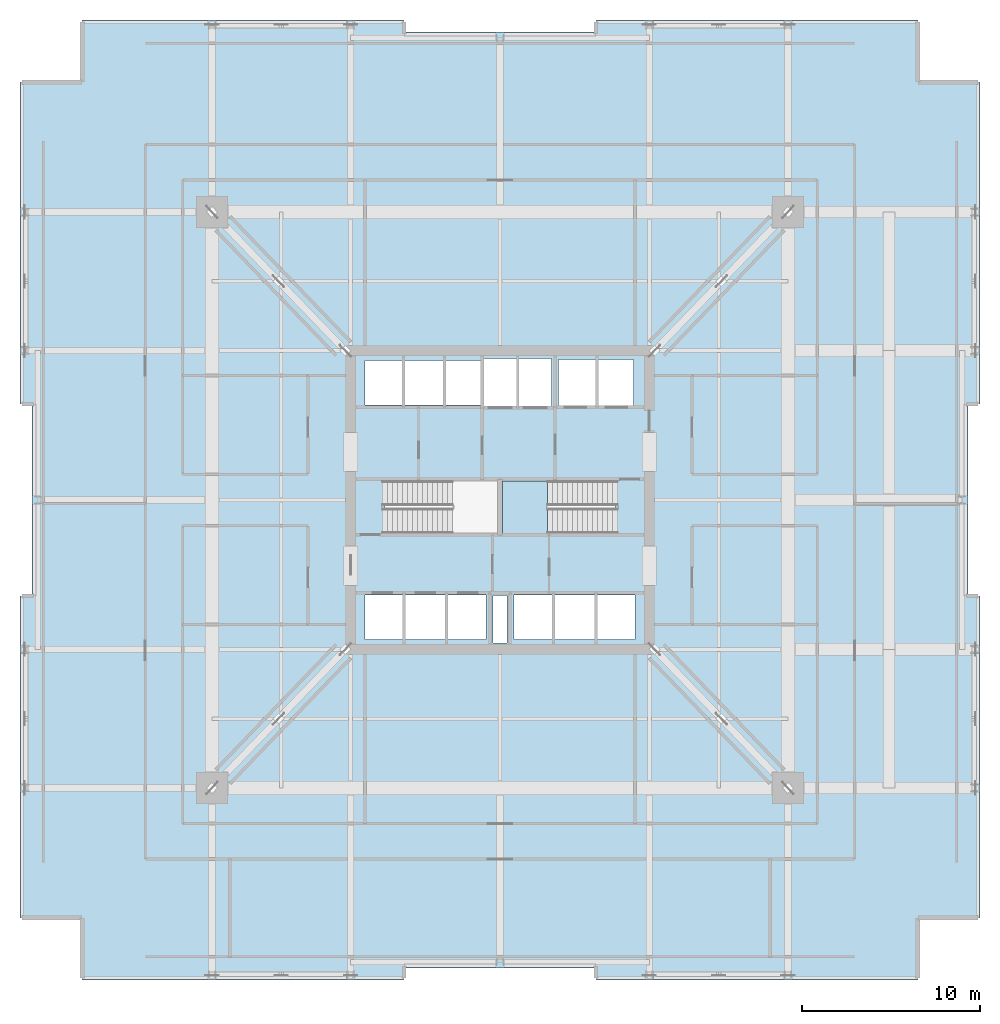
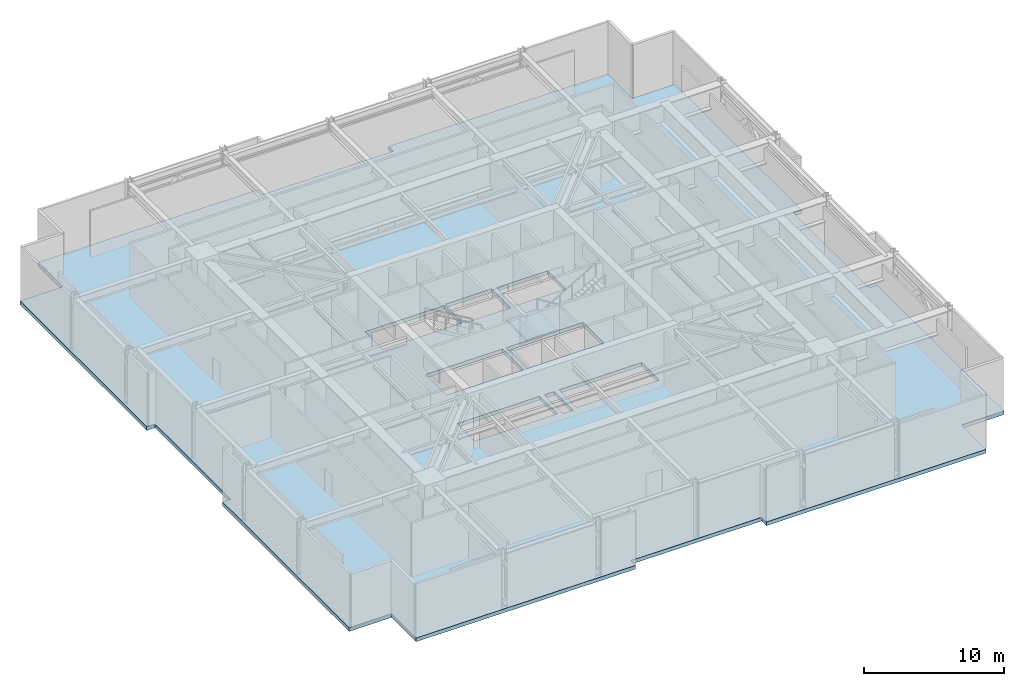
# One storey, part 4 of 13: 2 slabs, 1 element without a shape of its own.
"""IFC4 building model written with IfcOpenShell, lengths in metres."""

from ifc_helpers import new_model, si_unit, direction, frame, origin, place, context, subcontext, project, spatial, polyline, outline, extrude, material, layer, layer_set, type_object, element, aggregate, save


model = new_model("IFC4")

# Units and contexts
model_context = context("Model", 3, precision=1e-05, world=origin(), true_north=direction((0.0, 1.0)))
body_context = subcontext(model_context, "Body", "Model", "MODEL_VIEW")
ifc_project = project(units=[si_unit("LENGTHUNIT", "METRE"), si_unit("AREAUNIT", "SQUARE_METRE"), si_unit("VOLUMEUNIT", "CUBIC_METRE"), si_unit("PLANEANGLEUNIT", "RADIAN"), si_unit("MASSUNIT", "GRAM", prefix="KILO")], contexts=[model_context])

# Site, building, storey
site_placement = place(None, origin())
site = spatial("IfcSite", under=ifc_project, at=site_placement, CompositionType="ELEMENT")
building_placement = place(site_placement, origin())
building = spatial("IfcBuilding", under=site, at=building_placement, Name="Drelvath Grand Hotel", CompositionType="ELEMENT")
storey_placement = place(building_placement, frame((0.0, 0.0, 82.199951171875)))
storey = spatial("IfcBuildingStorey", under=building, at=storey_placement, Name="L20", CompositionType="ELEMENT", Elevation=82.199951171875)

# Slab
ifc_material_1 = material(Name="Concrete f'c 40 MPa", Category="concrete")
ifc_layer_1 = layer(ifc_material_1, 0.320068359375)
ifc_layer_set_1 = layer_set([ifc_layer_1], Name="Concrete f'c 40 MPa")
slab_type_1 = type_object("IfcSlabType", Name="Composite RC Floor Slab 320", PredefinedType="FLOOR", material=ifc_layer_set_1)
slab_1_placement = place(storey_placement, frame((0.0, 0.0, -0.320068359375)))
element("IfcSlab", 1, at=slab_1_placement, inside=storey, type_object=slab_type_1, Name="L20 Structural Floor Slab", PredefinedType="FLOOR", context=body_context, shape_type="SweptSolid", body=[
    extrude(outline(polyline([(-23.5, 0.0), (-5.39990234375, 0.0), (-5.39990234375, 0.679931640625), (5.39990234375, 0.679931640625), (5.39990234375, 0.0), (23.5, 0.0), (23.5, 3.5), (27.0, 3.5), (27.0, 21.60009765625), (26.320068359375, 21.60009765625), (26.320068359375, 32.39990234375), (27.0, 32.39990234375), (27.0, 50.5), (23.5, 50.5), (23.5, 54.0), (5.39990234375, 54.0), (5.39990234375, 53.320068359375), (-5.39990234375, 53.320068359375), (-5.39990234375, 54.0), (-23.5, 54.0), (-23.5, 50.5), (-27.0, 50.5), (-27.0, 32.39990234375), (-26.320068359375, 32.39990234375), (-26.320068359375, 21.60009765625), (-27.0, 21.60009765625), (-27.0, 3.5), (-23.5, 3.5), (-23.5, 0.0)]), holes=[polyline([(-6.47998046875, 25.1201171875), (-6.47998046875, 28.080078125), (-0.14990234375, 28.080078125), (-0.14990234375, 25.1201171875), (-6.47998046875, 25.1201171875)]), polyline([(0.14990234375, 25.1201171875), (0.14990234375, 28.080078125), (6.47998046875, 28.080078125), (6.47998046875, 25.1201171875), (0.14990234375, 25.1201171875)]), polyline([(-7.60009765625, 19.14990234375), (-7.60009765625, 21.64990234375), (-0.800048828125, 21.64990234375), (-0.800048828125, 19.14990234375), (-7.60009765625, 19.14990234375)]), polyline([(-0.39990234375, 18.9599609375), (-0.39990234375, 21.639892578125), (0.39990234375, 21.639892578125), (0.39990234375, 18.9599609375), (-0.39990234375, 18.9599609375)]), polyline([(0.800048828125, 19.14990234375), (0.800048828125, 21.64990234375), (7.60009765625, 21.64990234375), (7.60009765625, 19.14990234375), (0.800048828125, 19.14990234375)]), polyline([(-7.60009765625, 32.35009765625), (-7.60009765625, 34.85009765625), (-1.02001953125, 34.85009765625), (-1.02001953125, 32.35009765625), (-7.60009765625, 32.35009765625)]), polyline([(-0.89990234375, 32.25), (-0.89990234375, 34.949951171875), (2.89990234375, 34.949951171875), (2.89990234375, 32.25), (-0.89990234375, 32.25)]), polyline([(3.300048828125, 32.300048828125), (3.300048828125, 34.89990234375), (7.5, 34.89990234375), (7.5, 32.300048828125), (3.300048828125, 32.300048828125)])]), origin(), (0.0, 0.0, 1.0), 0.320068359375),
])

# Stair, slab
ifc_material_2 = material(Name="Concrete C40/50", Category="concrete")
stair_type = type_object("IfcStairType", Name="Dogleg Exit Stair W1400-R166.7", PredefinedType="HALF_TURN_STAIR", material=ifc_material_2)
stair_placement = place(storey_placement, origin())
stair = element("IfcStair", 2, at=stair_placement, inside=storey, type_object=stair_type, Name="L20 Core Exit Stair ST-2", PredefinedType="HALF_TURN_STAIR")
ifc_layer_2 = layer(ifc_material_2, 0.199951171875)
ifc_layer_set_2 = layer_set([ifc_layer_2], Name="Concrete C40/50")
slab_type_2 = type_object("IfcSlabType", Name="Concrete Stair Landing Slab 200", PredefinedType="LANDING", material=ifc_layer_set_2)
slab_2_placement = place(storey_placement, frame((0.0, 0.0, 2.300048828125)))
slab_2 = element("IfcSlab", 3, at=slab_2_placement, type_object=slab_type_2, Name="ST-2 landing 1", PredefinedType="LANDING", context=body_context, shape_type="SweptSolid", body=[
    extrude(outline(polyline([(2.679931640625, 28.080078125), (0.14990234375, 28.080078125), (0.14990234375, 25.1201171875), (2.679931640625, 25.1201171875), (2.679931640625, 28.080078125)])), origin(), (0.0, 0.0, 1.0), 0.199951171875),
])
aggregate(stair, [slab_2])

save(model, "model.ifc")
